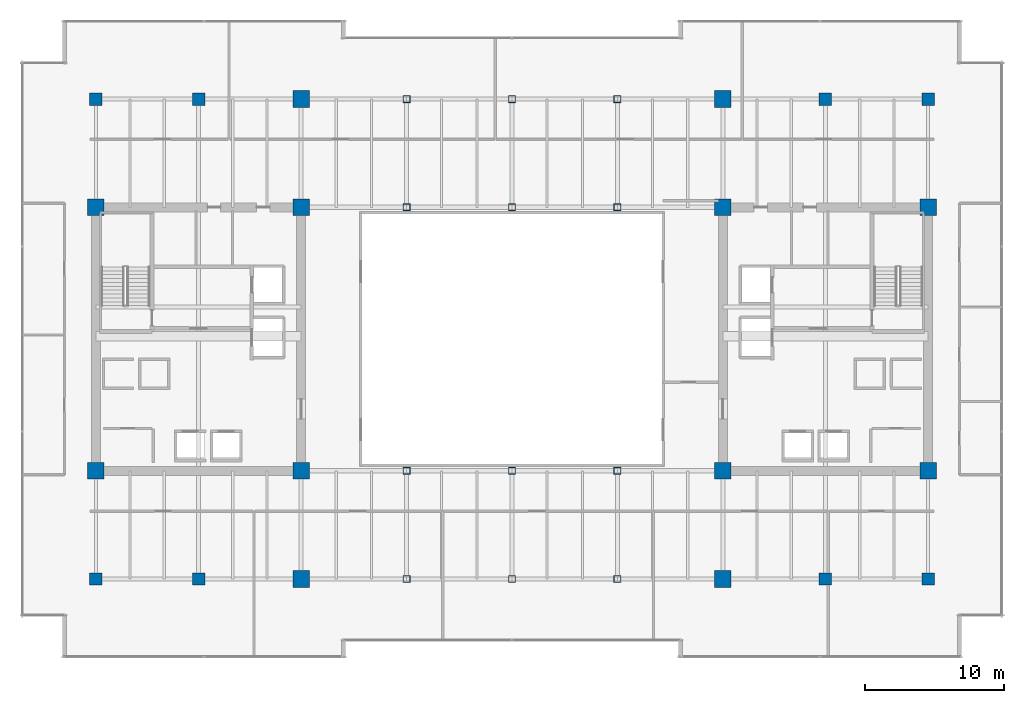
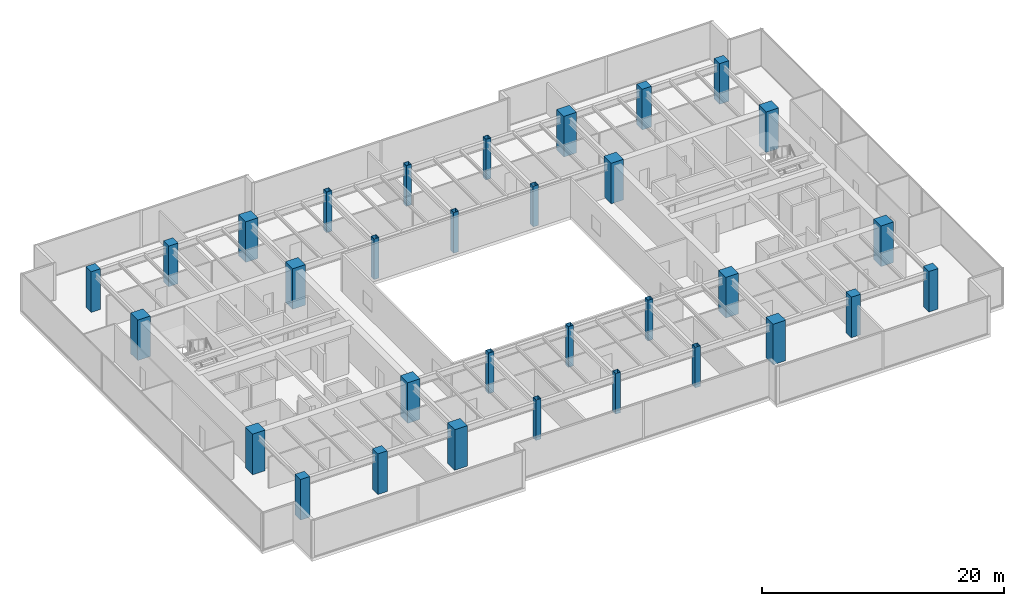
# One storey, part 1 of 30: 32 columns.
"""IFC4 building model written with IfcOpenShell, lengths in metres."""

from ifc_helpers import new_model, si_unit, direction, frame, origin, origin_2d, place, context, subcontext, project, spatial, rectangle, hollow_rectangle, extrude, source, transform, mapped, material, material_profile, profile_set, type_object, type_shapes, element, save


model = new_model("IFC4")

# Units and contexts
model_context = context("Model", 3, precision=1e-05, world=origin(), true_north=direction((0.0, 1.0)))
body_context = subcontext(model_context, "Body", "Model", "MODEL_VIEW")
ifc_project = project(units=[si_unit("LENGTHUNIT", "METRE"), si_unit("AREAUNIT", "SQUARE_METRE"), si_unit("VOLUMEUNIT", "CUBIC_METRE"), si_unit("PLANEANGLEUNIT", "RADIAN"), si_unit("MASSUNIT", "GRAM", prefix="KILO")], contexts=[model_context])

# Site, building, storey
site_placement = place(None, origin())
site = spatial("IfcSite", under=ifc_project, at=site_placement, CompositionType="ELEMENT")
building_placement = place(site_placement, origin())
building = spatial("IfcBuilding", under=site, at=building_placement, Name="Haelvirn Gate Laboratories", CompositionType="ELEMENT")
storey_placement = place(building_placement, frame((0.0, 0.0, 142.0)))
storey = spatial("IfcBuildingStorey", under=building, at=storey_placement, Name="L34", CompositionType="ELEMENT", Elevation=142.0)

# Columns
ifc_material_1 = material(Name="Concrete C50/60", Category="concrete")
ifc_material_profile_1 = material_profile(ifc_material_1, rectangle(XDim=0.89990234375, YDim=0.89990234375, at=origin_2d()), Name="RC-900x900")
ifc_profile_set_1 = profile_set([ifc_material_profile_1], Name="Concrete C50/60")
column_type_1 = type_object("IfcColumnType", Name="COL-RC-900", PredefinedType="COLUMN", material=ifc_profile_set_1)
shared_shape_1 = source(origin(), body_context, "Body", "SweptSolid", [
    extrude(rectangle(XDim=0.89990234375, YDim=0.89990234375, at=origin_2d()), origin(), (0.0, 0.0, 1.0), 4.10009765625),
])
type_shapes(column_type_1, [shared_shape_1])
for number, where, z_axis, x_axis, name in (
    (1, (14.800048828125, 7.0, 0.0), (0.0, 0.0, 1.0), (1.0, 0.0, 0.0), "L34 Column 3B"),
    (2, (14.800048828125, 41.60009765625, 0.0), (0.0, 0.0, 1.0), (1.0, 0.0, 0.0), "L34 Column 3G"),
    (3, (60.0, 7.0, 0.0), (0.0, 0.0, 1.0), (1.0, 0.0, 0.0), "L34 Column 9B"),
    (4, (60.0, 41.60009765625, 0.0), (0.0, 0.0, 1.0), (1.0, 0.0, 0.0), "L34 Column 9G"),
    (5, (7.39990234375, 7.0, 0.0), (0.0, 0.0, 1.0), (1.0, 0.0, 0.0), "L34 Column 2B"),
    (6, (7.39990234375, 41.60009765625, 0.0), (0.0, 0.0, 1.0), (1.0, 0.0, 0.0), "L34 Column 2G"),
    (7, (67.39990234375, 7.0, 0.0), (0.0, 0.0, 1.0), (1.0, 0.0, 0.0), "L34 Column 10B"),
    (8, (67.39990234375, 41.60009765625, 0.0), (0.0, 0.0, 1.0), (1.0, 0.0, 0.0), "L34 Column 10G"),
):
    element("IfcColumn", number, at=place(storey_placement, frame(where, z_axis=z_axis, x_axis=x_axis)), inside=storey, type_object=column_type_1, Name=name, PredefinedType="COLUMN", context=body_context, shape_type="MappedRepresentation", body=[
        mapped(shared_shape_1, transform((0.0, 0.0, 0.0), scale=1.0)),
    ])
ifc_material_2 = material(Name="Concrete C60/75", Category="concrete")
ifc_material_profile_2 = material_profile(ifc_material_2, rectangle(XDim=1.199951171875, YDim=1.199951171875, at=origin_2d()), Name="SRC-1200x1200")
ifc_profile_set_2 = profile_set([ifc_material_profile_2], Name="Concrete C60/75")
column_type_2 = type_object("IfcColumnType", Name="COL-SRC-1200", PredefinedType="COLUMN", material=ifc_profile_set_2)
shared_shape_2 = source(origin(), body_context, "Body", "SweptSolid", [
    extrude(rectangle(XDim=1.199951171875, YDim=1.199951171875, at=origin_2d()), origin(), (0.0, 0.0, 1.0), 4.10009765625),
])
type_shapes(column_type_2, [shared_shape_2])
for number, where, z_axis, x_axis, name in (
    (9, (22.199951171875, 7.0, 0.0), (0.0, 0.0, 1.0), (1.0, 0.0, 0.0), "L34 Column 4B"),
    (10, (7.39990234375, 14.800048828125, 0.0), (0.0, 0.0, 1.0), (1.0, 0.0, 0.0), "L34 Column 2C"),
    (11, (22.199951171875, 14.800048828125, 0.0), (0.0, 0.0, 1.0), (1.0, 0.0, 0.0), "L34 Column 4C"),
    (12, (7.39990234375, 33.800048828125, 0.0), (0.0, 0.0, 1.0), (1.0, 0.0, 0.0), "L34 Column 2F"),
    (13, (22.199951171875, 33.800048828125, 0.0), (0.0, 0.0, 1.0), (1.0, 0.0, 0.0), "L34 Column 4F"),
    (14, (22.199951171875, 41.60009765625, 0.0), (0.0, 0.0, 1.0), (1.0, 0.0, 0.0), "L34 Column 4G"),
    (15, (52.60009765625, 7.0, 0.0), (0.0, 0.0, 1.0), (1.0, 0.0, 0.0), "L34 Column 8B"),
    (16, (52.60009765625, 14.800048828125, 0.0), (0.0, 0.0, 1.0), (1.0, 0.0, 0.0), "L34 Column 8C"),
    (17, (67.39990234375, 14.800048828125, 0.0), (0.0, 0.0, 1.0), (1.0, 0.0, 0.0), "L34 Column 10C"),
    (18, (52.60009765625, 33.800048828125, 0.0), (0.0, 0.0, 1.0), (1.0, 0.0, 0.0), "L34 Column 8F"),
    (19, (67.39990234375, 33.800048828125, 0.0), (0.0, 0.0, 1.0), (1.0, 0.0, 0.0), "L34 Column 10F"),
    (20, (52.60009765625, 41.60009765625, 0.0), (0.0, 0.0, 1.0), (1.0, 0.0, 0.0), "L34 Column 8G"),
):
    element("IfcColumn", number, at=place(storey_placement, frame(where, z_axis=z_axis, x_axis=x_axis)), inside=storey, type_object=column_type_2, Name=name, PredefinedType="COLUMN", context=body_context, shape_type="MappedRepresentation", body=[
        mapped(shared_shape_2, transform((0.0, 0.0, 0.0), scale=1.0)),
    ])
ifc_material_3 = material(Name="Steel SM355", Category="steel")
ifc_material_profile_3 = material_profile(ifc_material_3, hollow_rectangle(XDim=0.5, YDim=0.5, WallThickness=0.02197265625, at=origin_2d()), Name="BOX-500x500x22")
ifc_profile_set_3 = profile_set([ifc_material_profile_3], Name="Steel SM355")
column_type_3 = type_object("IfcColumnType", Name="COL-BOX-500", PredefinedType="COLUMN", material=ifc_profile_set_3)
shared_shape_3 = source(origin(), body_context, "Body", "SweptSolid", [
    extrude(hollow_rectangle(XDim=0.5, YDim=0.5, WallThickness=0.02197265625, at=origin_2d()), origin(), (0.0, 0.0, 1.0), 4.10009765625),
])
type_shapes(column_type_3, [shared_shape_3])
for number, where, z_axis, x_axis, name in (
    (21, (29.800048828125, 7.0, 0.0), (0.0, 0.0, 1.0), (1.0, 0.0, 0.0), "L34 Column 5B"),
    (22, (29.800048828125, 14.800048828125, 0.0), (0.0, 0.0, 1.0), (1.0, 0.0, 0.0), "L34 Column 5C"),
    (23, (29.800048828125, 33.800048828125, 0.0), (0.0, 0.0, 1.0), (1.0, 0.0, 0.0), "L34 Column 5F"),
    (24, (29.800048828125, 41.60009765625, 0.0), (0.0, 0.0, 1.0), (1.0, 0.0, 0.0), "L34 Column 5G"),
    (25, (37.39990234375, 7.0, 0.0), (0.0, 0.0, 1.0), (1.0, 0.0, 0.0), "L34 Column 6B"),
    (26, (37.39990234375, 14.800048828125, 0.0), (0.0, 0.0, 1.0), (1.0, 0.0, 0.0), "L34 Column 6C"),
    (27, (37.39990234375, 33.800048828125, 0.0), (0.0, 0.0, 1.0), (1.0, 0.0, 0.0), "L34 Column 6F"),
    (28, (37.39990234375, 41.60009765625, 0.0), (0.0, 0.0, 1.0), (1.0, 0.0, 0.0), "L34 Column 6G"),
    (29, (45.0, 7.0, 0.0), (0.0, 0.0, 1.0), (1.0, 0.0, 0.0), "L34 Column 7B"),
    (30, (45.0, 14.800048828125, 0.0), (0.0, 0.0, 1.0), (1.0, 0.0, 0.0), "L34 Column 7C"),
    (31, (45.0, 33.800048828125, 0.0), (0.0, 0.0, 1.0), (1.0, 0.0, 0.0), "L34 Column 7F"),
    (32, (45.0, 41.60009765625, 0.0), (0.0, 0.0, 1.0), (1.0, 0.0, 0.0), "L34 Column 7G"),
):
    element("IfcColumn", number, at=place(storey_placement, frame(where, z_axis=z_axis, x_axis=x_axis)), inside=storey, type_object=column_type_3, Name=name, PredefinedType="COLUMN", context=body_context, shape_type="MappedRepresentation", body=[
        mapped(shared_shape_3, transform((0.0, 0.0, 0.0), scale=1.0)),
    ])

save(model, "model.ifc")
